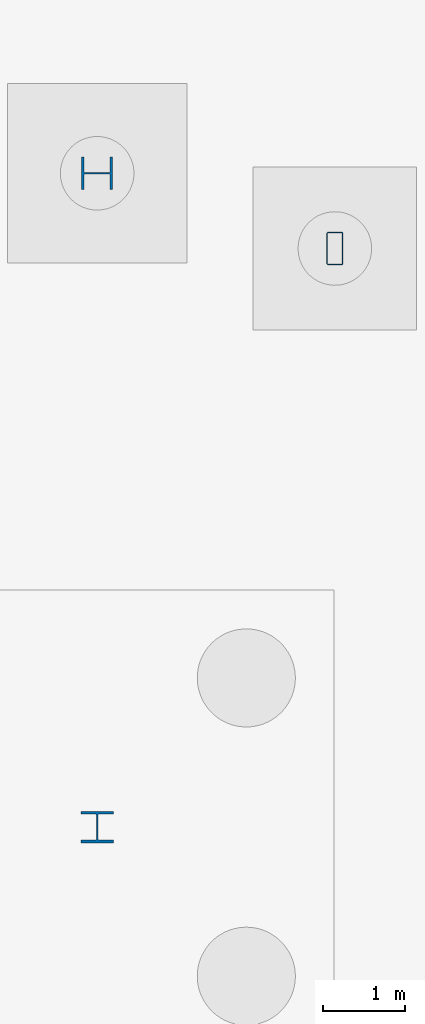
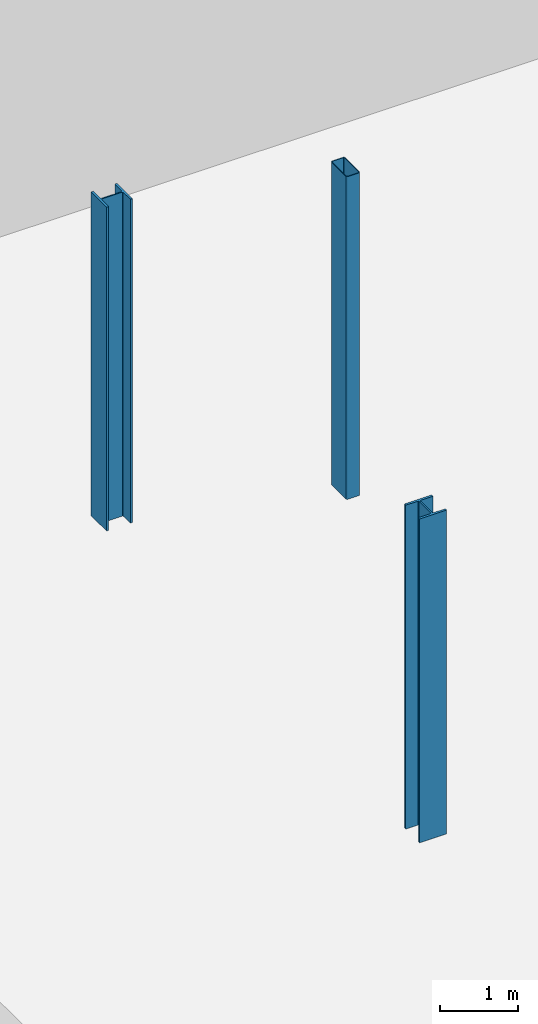
# One storey, part 8 of 33: 3 columns.
"""IFC4 building model written with IfcOpenShell, lengths in metres."""

from ifc_helpers import new_model, si_unit, direction, frame, origin, origin_2d, place, context, subcontext, project, spatial, hollow_rectangle, i_section, extrude, material, material_profile, profile_set, type_object, element, save


model = new_model("IFC4")

# Units and contexts
model_context = context("Model", 3, precision=1e-05, world=origin(), true_north=direction((0.0, 1.0)))
body_context = subcontext(model_context, "Body", "Model", "MODEL_VIEW")
ifc_project = project(units=[si_unit("LENGTHUNIT", "METRE"), si_unit("AREAUNIT", "SQUARE_METRE"), si_unit("VOLUMEUNIT", "CUBIC_METRE"), si_unit("PLANEANGLEUNIT", "RADIAN"), si_unit("MASSUNIT", "GRAM", prefix="KILO")], contexts=[model_context])

# Site, building, storey
site_placement = place(None, origin())
site = spatial("IfcSite", under=ifc_project, at=site_placement, CompositionType="ELEMENT")
building_placement = place(site_placement, origin())
building = spatial("IfcBuilding", under=site, at=building_placement, Name="Brisemont Oceanarium", CompositionType="ELEMENT")
storey_placement = place(building_placement, frame((0.0, 0.0, -5.39990234375)))
storey = spatial("IfcBuildingStorey", under=building, at=storey_placement, Name="B01", CompositionType="ELEMENT", Elevation=-5.39990234375)

# Columns
ifc_material_1 = material(Name="Structural Steel ASTM A500 Gr.C", Category="steel")
ifc_material_profile_1 = material_profile(ifc_material_1, hollow_rectangle(XDim=0.202880859375, YDim=0.406005859375, WallThickness=0.01171875, InnerFilletRadius=0.01220703125, OuterFilletRadius=0.02392578125, at=origin_2d()), Name="HSS16X8X1/2")
ifc_profile_set_1 = profile_set([ifc_material_profile_1], Name="Structural Steel ASTM A500 Gr.C")
column_type_1 = type_object("IfcColumnType", Name="COL-HSS16X8", PredefinedType="COLUMN", material=ifc_profile_set_1)
column_1_placement = place(storey_placement, frame((66.908203125, 63.07958984375, 0.0), z_axis=(0.0, 0.0, 1.0), x_axis=(1.0, 0.0, 0.0)))
element("IfcColumn", 1, at=column_1_placement, inside=storey, type_object=column_type_1, Name="V1 dome drum pier B01.4", PredefinedType="COLUMN", context=body_context, shape_type="SweptSolid", body=[
    extrude(hollow_rectangle(XDim=0.202880859375, YDim=0.406005859375, WallThickness=0.01171875, InnerFilletRadius=0.01220703125, OuterFilletRadius=0.02392578125, at=origin_2d()), origin(), (0.0, 0.0, 1.0), 5.02001953125),
])
ifc_material_2 = material(Name="Structural Steel ASTM A992 Gr.50", Category="steel")
ifc_material_profile_2 = material_profile(ifc_material_2, i_section(OverallWidth=0.39501953125, OverallDepth=0.3798828125, WebThickness=0.018798828125, FlangeThickness=0.0302734375, FilletRadius=0.014892578125, at=origin_2d()), Name="W14X159")
ifc_profile_set_2 = profile_set([ifc_material_profile_2], Name="Structural Steel ASTM A992 Gr.50")
column_type_2 = type_object("IfcColumnType", Name="COL-W14X159", PredefinedType="COLUMN", material=ifc_profile_set_2)
column_2_placement = place(storey_placement, frame((64.0, 64.0, 0.0), z_axis=(0.0, 0.0, 1.0), x_axis=(0.0, 1.0, 0.0)))
element("IfcColumn", 2, at=column_2_placement, inside=storey, type_object=column_type_2, Name="V1 B01 column (1,4)", PredefinedType="COLUMN", context=body_context, shape_type="SweptSolid", body=[
    extrude(i_section(OverallWidth=0.39501953125, OverallDepth=0.3798828125, WebThickness=0.018798828125, FlangeThickness=0.0302734375, FilletRadius=0.014892578125, at=origin_2d()), origin(), (0.0, 0.0, 1.0), 5.039794921875),
])
ifc_material_3 = material(Name="Structural Steel ASTM A992 Gr.50", Category="steel")
ifc_material_profile_3 = material_profile(ifc_material_3, i_section(OverallWidth=0.39892578125, OverallDepth=0.385986328125, WebThickness=0.02099609375, FlangeThickness=0.033203125, FilletRadius=0.014892578125, at=origin_2d()), Name="W14X176")
ifc_profile_set_3 = profile_set([ifc_material_profile_3], Name="Structural Steel ASTM A992 Gr.50")
column_type_3 = type_object("IfcColumnType", Name="COL-W14X176", PredefinedType="COLUMN", material=ifc_profile_set_3)
column_3_placement = place(storey_placement, frame((64.0, 56.0, 0.0), z_axis=(0.0, 0.0, 1.0), x_axis=(1.0, 0.0, 0.0)))
element("IfcColumn", 3, at=column_3_placement, inside=storey, type_object=column_type_3, Name="V1 B01 column (1,3)", PredefinedType="COLUMN", context=body_context, shape_type="SweptSolid", body=[
    extrude(i_section(OverallWidth=0.39892578125, OverallDepth=0.385986328125, WebThickness=0.02099609375, FlangeThickness=0.033203125, FilletRadius=0.014892578125, at=origin_2d()), origin(), (0.0, 0.0, 1.0), 5.039794921875),
])

save(model, "model.ifc")
